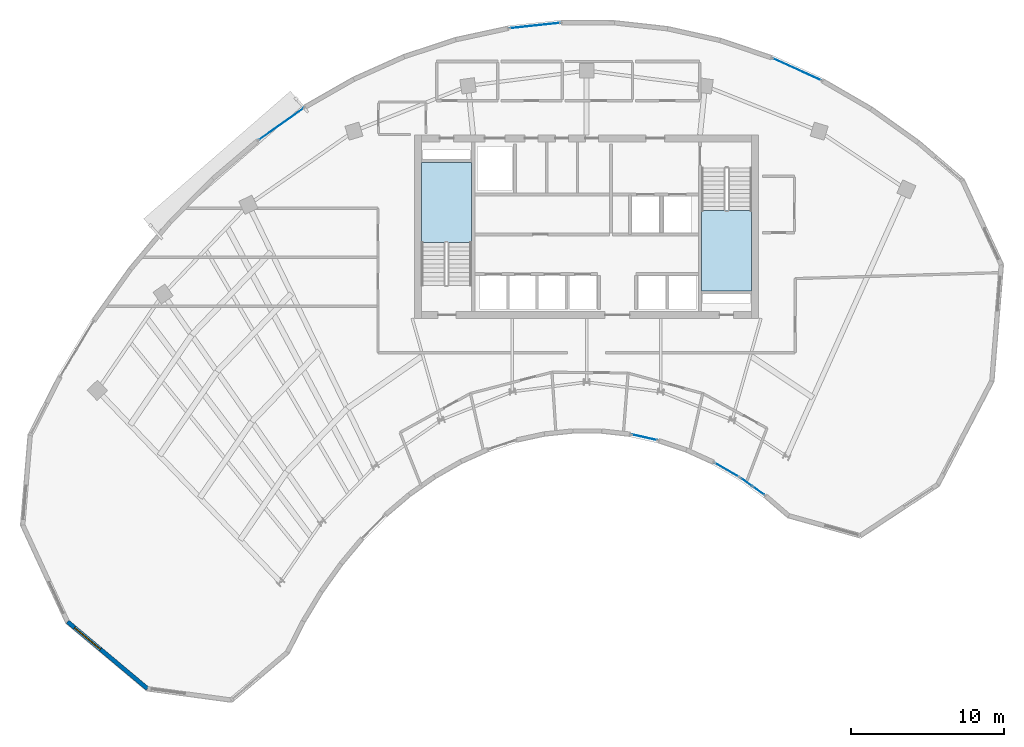
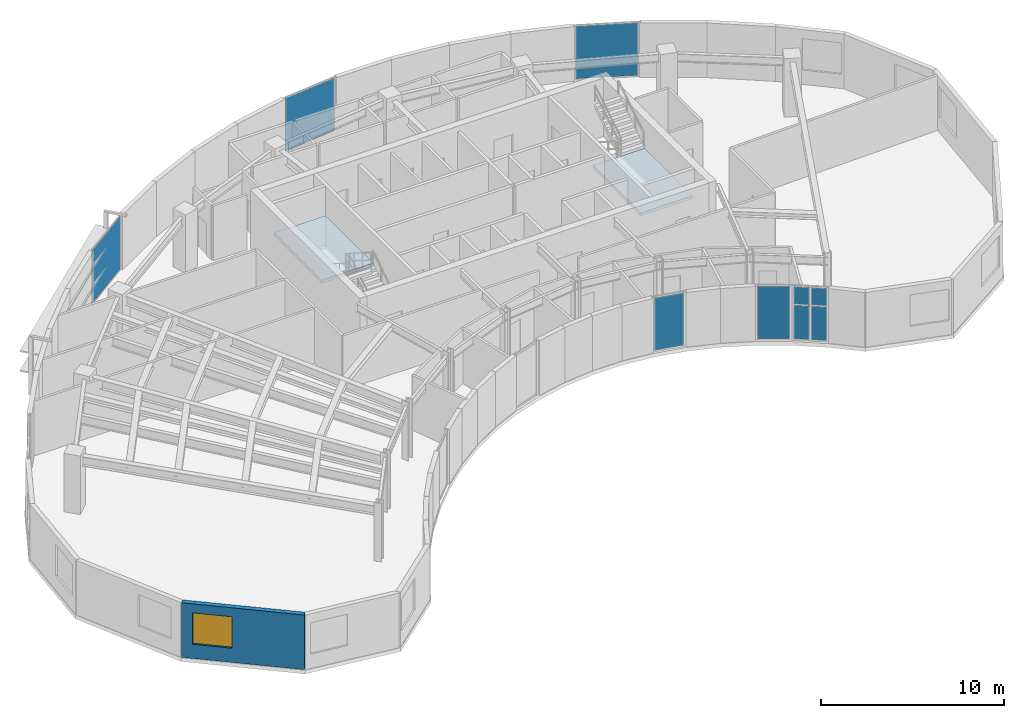
# One storey, part 6 of 12: 9 plates, 2 slabs, 1 wall, 1 window, 1 opening, 8 elements without a shape of their own.
"""IFC4 building model written with IfcOpenShell, lengths in metres."""

from ifc_helpers import new_model, si_unit, direction, frame, frame_2d, origin, origin_2d, place, context, subcontext, project, spatial, polyline, rectangle, outline, extrude, source, transform, mapped, material, layer, layer_set, type_object, type_shapes, element, fill, aggregate, save


model = new_model("IFC4")

# Units and contexts
model_context = context("Model", 3, precision=1e-05, world=origin(), true_north=direction((0.0, 1.0)))
body_context = subcontext(model_context, "Body", "Model", "MODEL_VIEW")
ifc_project = project(units=[si_unit("LENGTHUNIT", "METRE"), si_unit("AREAUNIT", "SQUARE_METRE"), si_unit("VOLUMEUNIT", "CUBIC_METRE"), si_unit("PLANEANGLEUNIT", "RADIAN"), si_unit("MASSUNIT", "GRAM", prefix="KILO")], contexts=[model_context])

# Site, building, storey
site_placement = place(None, origin())
site = spatial("IfcSite", under=ifc_project, at=site_placement, CompositionType="ELEMENT")
building_placement = place(site_placement, origin())
building = spatial("IfcBuilding", under=site, at=building_placement, Name="Breltana Convention Tower", CompositionType="ELEMENT")
storey_placement = place(building_placement, frame((0.0, 0.0, 243.0)))
storey = spatial("IfcBuildingStorey", under=building, at=storey_placement, Name="L59", CompositionType="ELEMENT", Elevation=243.0)

# Stair, slab
ifc_material_1 = material(Name="Concrete C40/50", Category="concrete")
stair_type = type_object("IfcStairType", Name="ST-DOG-1560-R177", PredefinedType="HALF_TURN_STAIR", material=ifc_material_1)
stair_1_placement = place(storey_placement, origin())
stair_1 = element("IfcStair", 1, at=stair_1_placement, inside=storey, type_object=stair_type, Name="L59 Protected Core Exit Stair ST-1", PredefinedType="HALF_TURN_STAIR")
ifc_layer_1 = layer(ifc_material_1, 0.199951171875, Name="Concrete C40/50")
ifc_layer_set_1 = layer_set([ifc_layer_1], Name="Concrete C40/50")
slab_type = type_object("IfcSlabType", Name="SL-STAIR-LANDING-200", PredefinedType="LANDING", material=ifc_layer_set_1)
slab_1_placement = place(storey_placement, frame((0.0, 0.0, 1.75)))
slab_1 = element("IfcSlab", 2, at=slab_1_placement, type_object=slab_type, Name="ST-1 landing 1", PredefinedType="LANDING", context=body_context, shape_type="SweptSolid", body=[
    extrude(outline(polyline([(40.469970703125, 65.159912109375), (40.469970703125, 70.39990234375), (37.199951171875, 70.39990234375), (37.199951171875, 65.159912109375), (40.469970703125, 65.159912109375)])), origin(), (0.0, 0.0, 1.0), 0.199951171875),
])
aggregate(stair_1, [slab_1])

stair_2_placement = place(storey_placement, origin())
stair_2 = element("IfcStair", 3, at=stair_2_placement, inside=storey, type_object=stair_type, Name="L59 Protected Core Exit Stair ST-2", PredefinedType="HALF_TURN_STAIR")
slab_2_placement = place(storey_placement, frame((0.0, 0.0, 1.75)))
slab_2 = element("IfcSlab", 4, at=slab_2_placement, type_object=slab_type, Name="ST-2 landing 1", PredefinedType="LANDING", context=body_context, shape_type="SweptSolid", body=[
    extrude(outline(polyline([(55.530029296875, 67.239990234375), (55.530029296875, 62.0), (58.800048828125, 62.0), (58.800048828125, 67.239990234375), (55.530029296875, 67.239990234375)])), origin(), (0.0, 0.0, 1.0), 0.199951171875),
])
aggregate(stair_2, [slab_2])

# Curtain wall, plates
ifc_material_2 = material(Name="Aluminium Anodised Bronze Frame", Category="aluminium")
ifc_layer_2 = layer(ifc_material_2, 0.18994140625, Name="Aluminium Anodised Bronze Frame")
ifc_layer_set_2 = layer_set([ifc_layer_2], Name="Aluminium Anodised Bronze Frame")
curtain_wall_type_1 = type_object("IfcCurtainWallType", Name="CW-SYS-1", PredefinedType="NOTDEFINED", material=ifc_layer_set_2)
curtain_wall_1_placement = place(storey_placement, origin())
curtain_wall_1 = element("IfcCurtainWall", 5, at=curtain_wall_1_placement, inside=storey, type_object=curtain_wall_type_1, Name="L59 inner south-court glazing 1", PredefinedType="NOTDEFINED")
ifc_material_3 = material(Name="Glass Low-E Double Glazing", Category="glass")
ifc_layer_3 = layer(ifc_material_3, 0.028076171875, Name="Glass Low-E Double Glazing")
ifc_layer_set_3 = layer_set([ifc_layer_3], Name="Glass Low-E Double Glazing")
plate_type = type_object("IfcPlateType", Name="CWP-IGU-28", PredefinedType="CURTAIN_PANEL", material=ifc_layer_set_3)
shared_shape_1 = source(origin(), body_context, "Body", "SweptSolid", [
    extrude(rectangle(XDim=0.88720703125, YDim=0.028076171875, at=origin_2d()), origin(), (0.0, 0.0, 1.0), 2.25244140625),
])
plate_1_placement = place(storey_placement, frame((59.2490234375, 48.93115234375, 0.080078125), z_axis=(0.0, 0.0, 1.0), x_axis=(-0.814132405297, 0.580679280365, 0.0)))
plate_1 = element("IfcPlate", 6, at=plate_1_placement, type_object=plate_type, Name="CW-01 panel 1.1", PredefinedType="CURTAIN_PANEL", context=body_context, shape_type="MappedRepresentation", body=[
    mapped(shared_shape_1, transform((0.0, 0.0, 0.0), scale=1.0)),
])
plate_2_placement = place(storey_placement, frame((58.461669921875, 49.492919921875, 0.080078125), z_axis=(0.0, 0.0, 1.0), x_axis=(-0.814132405297, 0.580679280365, 0.0)))
plate_2 = element("IfcPlate", 7, at=plate_2_placement, type_object=plate_type, Name="CW-01 panel 2.1", PredefinedType="CURTAIN_PANEL", context=body_context, shape_type="MappedRepresentation", body=[
    mapped(shared_shape_1, transform((0.0, 0.0, 0.0), scale=1.0)),
])
shared_shape_2 = source(origin(), body_context, "Body", "SweptSolid", [
    extrude(rectangle(XDim=0.88720703125, YDim=0.028076171875, at=origin_2d()), origin(), (0.0, 0.0, 1.0), 1.157470703125),
])
plate_3_placement = place(storey_placement, frame((59.2490234375, 48.93115234375, 2.41259765625), z_axis=(0.0, 0.0, 1.0), x_axis=(-0.814132405297, 0.580679280365, 0.0)))
plate_3 = element("IfcPlate", 8, at=plate_3_placement, type_object=plate_type, Name="CW-01 panel 1.2", PredefinedType="CURTAIN_PANEL", context=body_context, shape_type="MappedRepresentation", body=[
    mapped(shared_shape_2, transform((0.0, 0.0, 0.0), scale=1.0)),
])
plate_4_placement = place(storey_placement, frame((58.461669921875, 49.492919921875, 2.41259765625), z_axis=(0.0, 0.0, 1.0), x_axis=(-0.814132405297, 0.580679280365, 0.0)))
plate_4 = element("IfcPlate", 9, at=plate_4_placement, type_object=plate_type, Name="CW-01 panel 2.2", PredefinedType="CURTAIN_PANEL", context=body_context, shape_type="MappedRepresentation", body=[
    mapped(shared_shape_2, transform((0.0, 0.0, 0.0), scale=1.0)),
])
aggregate(curtain_wall_1, [plate_1, plate_3, plate_2, plate_4])

# Curtain wall, plate
curtain_wall_2_placement = place(storey_placement, origin())
curtain_wall_2 = element("IfcCurtainWall", 10, at=curtain_wall_2_placement, inside=storey, type_object=curtain_wall_type_1, Name="L59 inner south-court glazing 2", PredefinedType="NOTDEFINED")
shared_shape_3 = source(origin(), body_context, "Body", "SweptSolid", [
    extrude(rectangle(XDim=1.810791015625, YDim=0.028076171875, at=origin_2d()), origin(), (0.0, 0.0, 1.0), 3.489990234375),
])
plate_5_placement = place(storey_placement, frame((57.168212890625, 50.300048828125, 0.080078125), z_axis=(0.0, 0.0, 1.0), x_axis=(-0.865337111796, 0.501190266215, 0.0)))
plate_5 = element("IfcPlate", 11, at=plate_5_placement, type_object=plate_type, Name="CW-01 panel 1.1", PredefinedType="CURTAIN_PANEL", context=body_context, shape_type="MappedRepresentation", body=[
    mapped(shared_shape_3, transform((0.0, 0.0, 0.0), scale=1.0)),
])
aggregate(curtain_wall_2, [plate_5])

curtain_wall_3_placement = place(storey_placement, origin())
curtain_wall_3 = element("IfcCurtainWall", 12, at=curtain_wall_3_placement, inside=storey, type_object=curtain_wall_type_1, Name="L59 inner south-court glazing 3", PredefinedType="NOTDEFINED")
shared_shape_4 = source(origin(), body_context, "Body", "SweptSolid", [
    extrude(rectangle(XDim=1.7177734375, YDim=0.028076171875, at=origin_2d()), origin(), (0.0, 0.0, 1.0), 3.489990234375),
])
plate_6_placement = place(storey_placement, frame((51.7861328125, 52.422607421875, 0.080078125), z_axis=(0.0, 0.0, 1.0), x_axis=(-0.976143181725, 0.217127816671, 0.0)))
plate_6 = element("IfcPlate", 13, at=plate_6_placement, type_object=plate_type, Name="CW-01 panel 1.1", PredefinedType="CURTAIN_PANEL", context=body_context, shape_type="MappedRepresentation", body=[
    mapped(shared_shape_4, transform((0.0, 0.0, 0.0), scale=1.0)),
])
aggregate(curtain_wall_3, [plate_6])

ifc_layer_4 = layer(ifc_material_2, 0.219970703125, Name="Aluminium Anodised Bronze Frame")
ifc_layer_set_4 = layer_set([ifc_layer_4], Name="Aluminium Anodised Bronze Frame")
curtain_wall_type_2 = type_object("IfcCurtainWallType", Name="CW-SYS-4", PredefinedType="NOTDEFINED", material=ifc_layer_set_4)
curtain_wall_4_placement = place(storey_placement, origin())
curtain_wall_4 = element("IfcCurtainWall", 14, at=curtain_wall_4_placement, inside=storey, type_object=curtain_wall_type_2, Name="L59 outer double-skin inner glazing 2", PredefinedType="NOTDEFINED")
shared_shape_5 = source(origin(), body_context, "Body", "SweptSolid", [
    extrude(rectangle(XDim=3.610107421875, YDim=0.028076171875, at=origin_2d()), origin(), (0.0, 0.0, 1.0), 3.510009765625),
])
plate_7_placement = place(storey_placement, frame((28.03564453125, 72.91064453125, 0.06982421875), z_axis=(0.0, 0.0, 1.0), x_axis=(0.817009024955, 0.576624880786, 0.0)))
plate_7 = element("IfcPlate", 15, at=plate_7_placement, type_object=plate_type, Name="CW-04 panel 1.1", PredefinedType="CURTAIN_PANEL", context=body_context, shape_type="MappedRepresentation", body=[
    mapped(shared_shape_5, transform((0.0, 0.0, 0.0), scale=1.0)),
])
aggregate(curtain_wall_4, [plate_7])

curtain_wall_5_placement = place(storey_placement, origin())
curtain_wall_5 = element("IfcCurtainWall", 16, at=curtain_wall_5_placement, inside=storey, type_object=curtain_wall_type_2, Name="L59 outer double-skin inner glazing 3", PredefinedType="NOTDEFINED")
shared_shape_6 = source(origin(), body_context, "Body", "SweptSolid", [
    extrude(rectangle(XDim=3.326171875, YDim=0.028076171875, at=origin_2d()), origin(), (0.0, 0.0, 1.0), 3.510009765625),
])
plate_8_placement = place(storey_placement, frame((44.621337890625, 79.34765625, 0.06982421875), z_axis=(0.0, 0.0, 1.0), x_axis=(0.994422311203, 0.105471640654, 0.0)))
plate_8 = element("IfcPlate", 17, at=plate_8_placement, type_object=plate_type, Name="CW-04 panel 1.1", PredefinedType="CURTAIN_PANEL", context=body_context, shape_type="MappedRepresentation", body=[
    mapped(shared_shape_6, transform((0.0, 0.0, 0.0), scale=1.0)),
])
aggregate(curtain_wall_5, [plate_8])

curtain_wall_6_placement = place(storey_placement, origin())
curtain_wall_6 = element("IfcCurtainWall", 18, at=curtain_wall_6_placement, inside=storey, type_object=curtain_wall_type_2, Name="L59 outer double-skin inner glazing 4", PredefinedType="NOTDEFINED")
shared_shape_7 = source(origin(), body_context, "Body", "SweptSolid", [
    extrude(rectangle(XDim=3.45947265625, YDim=0.028076171875, at=origin_2d()), origin(), (0.0, 0.0, 1.0), 3.510009765625),
])
plate_9_placement = place(storey_placement, frame((61.75048828125, 76.488037109375, 0.06982421875), z_axis=(0.0, 0.0, 1.0), x_axis=(0.910486602729, -0.413538566823, 0.0)))
plate_9 = element("IfcPlate", 19, at=plate_9_placement, type_object=plate_type, Name="CW-04 panel 1.1", PredefinedType="CURTAIN_PANEL", context=body_context, shape_type="MappedRepresentation", body=[
    mapped(shared_shape_7, transform((0.0, 0.0, 0.0), scale=1.0)),
])
aggregate(curtain_wall_6, [plate_9])

# Wall, opening, window
ifc_material_4 = material(Name="Limestone Buff Insulated Wall", Category="masonry")
ifc_layer_5 = layer(ifc_material_4, 0.280029296875, Name="Limestone Buff Insulated Wall")
ifc_layer_set_5 = layer_set([ifc_layer_5], Name="Limestone Buff Insulated Wall")
wall_type = type_object("IfcWallType", Name="WL-EXT-NOSE-280", PredefinedType="SOLIDWALL", material=ifc_layer_set_5)
shared_shape_8 = source(origin(), body_context, "Body", "SweptSolid", [
    extrude(rectangle(XDim=6.81201171875, YDim=0.280029296875, at=frame_2d((3.406005859375, 0.0))), origin(), (0.0, 0.0, 1.0), 3.64990234375),
])
wall_placement = place(storey_placement, frame((19.286376953125, 35.98828125, 0.0), z_axis=(0.0, 0.0, 1.0), x_axis=(-0.766712133953, 0.641991046394, 0.0)))
wall = element("IfcWall", 20, at=wall_placement, inside=storey, type_object=wall_type, Name="L59 curved limestone nose wall W4", PredefinedType="SOLIDWALL", context=body_context, shape_type="MappedRepresentation", body=[
    mapped(shared_shape_8, transform((0.0, 0.0, 0.0), scale=1.0)),
])
opening_placement = place(wall_placement, frame((4.009033203125, 0.0, 0.949951171875)))
opening = element("IfcOpeningElement", 21, at=opening_placement, cuts=wall, Name="Opening W-03", PredefinedType="OPENING", context=body_context, shape_type="SweptSolid", body=[
    extrude(rectangle(XDim=2.199951171875, YDim=2.10009765625, at=frame_2d((1.10009765625, 1.050048828125))), frame((0.0, 0.14990234375, 0.0), z_axis=(0.0, -1.0, 0.0), x_axis=(1.0, 0.0, 0.0)), (0.0, 0.0, 1.0), 0.300048828125),
])
ifc_material_5 = material(Name="Glass Low-E Insulated Window", Category="glass")
window_type = type_object("IfcWindowType", Name="WN-NOSE-2200X2100", PartitioningType="TRIPLE_PANEL_VERTICAL", PredefinedType="WINDOW", material=ifc_material_5)
shared_shape_9 = source(origin(), body_context, "Body", "SweptSolid", [
    extrude(rectangle(XDim=2.199951171875, YDim=2.10009765625, at=frame_2d((1.10009765625, 1.050048828125))), frame((0.0, 0.030029296875, 0.0), z_axis=(0.0, -1.0, 0.0), x_axis=(1.0, 0.0, 0.0)), (0.0, 0.0, 1.0), 0.06005859375),
])
type_shapes(window_type, [shared_shape_9])
window_placement = place(opening_placement, origin())
window = element("IfcWindow", 22, at=window_placement, inside=storey, type_object=window_type, Name="L59 nose window W4", OverallHeight=2.10009765625, OverallWidth=2.199951171875, PartitioningType="TRIPLE_PANEL_VERTICAL", PredefinedType="WINDOW", context=body_context, shape_type="MappedRepresentation", body=[
    mapped(shared_shape_9, transform((0.0, 0.0, 0.0), scale=1.0)),
])
fill(opening, window)

save(model, "model.ifc")
